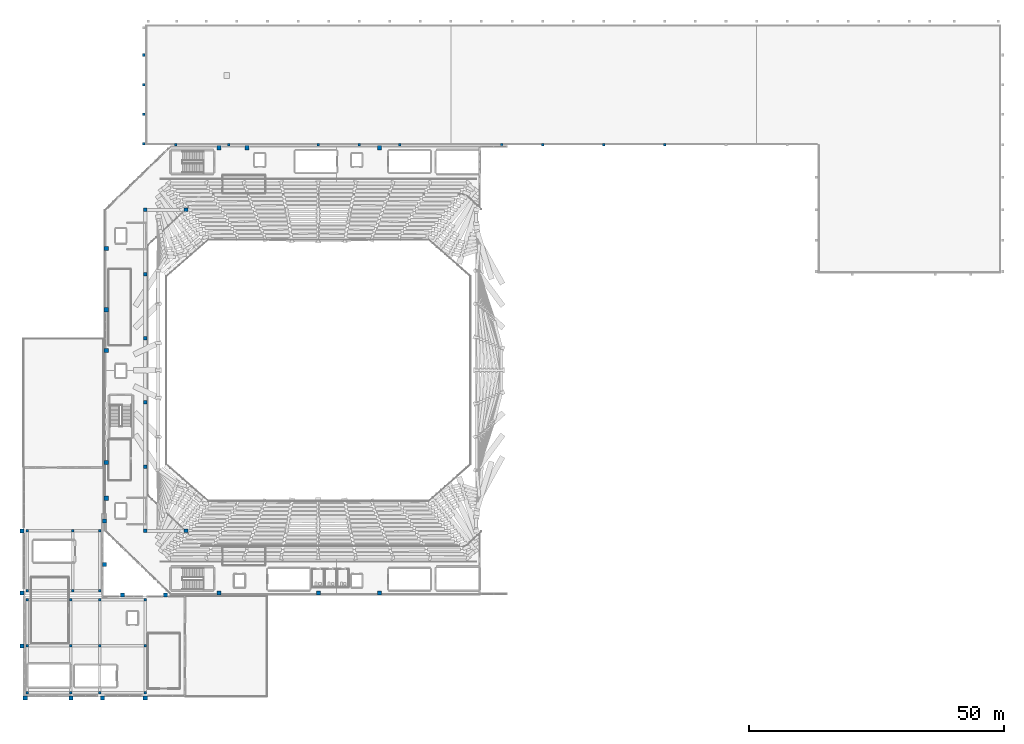
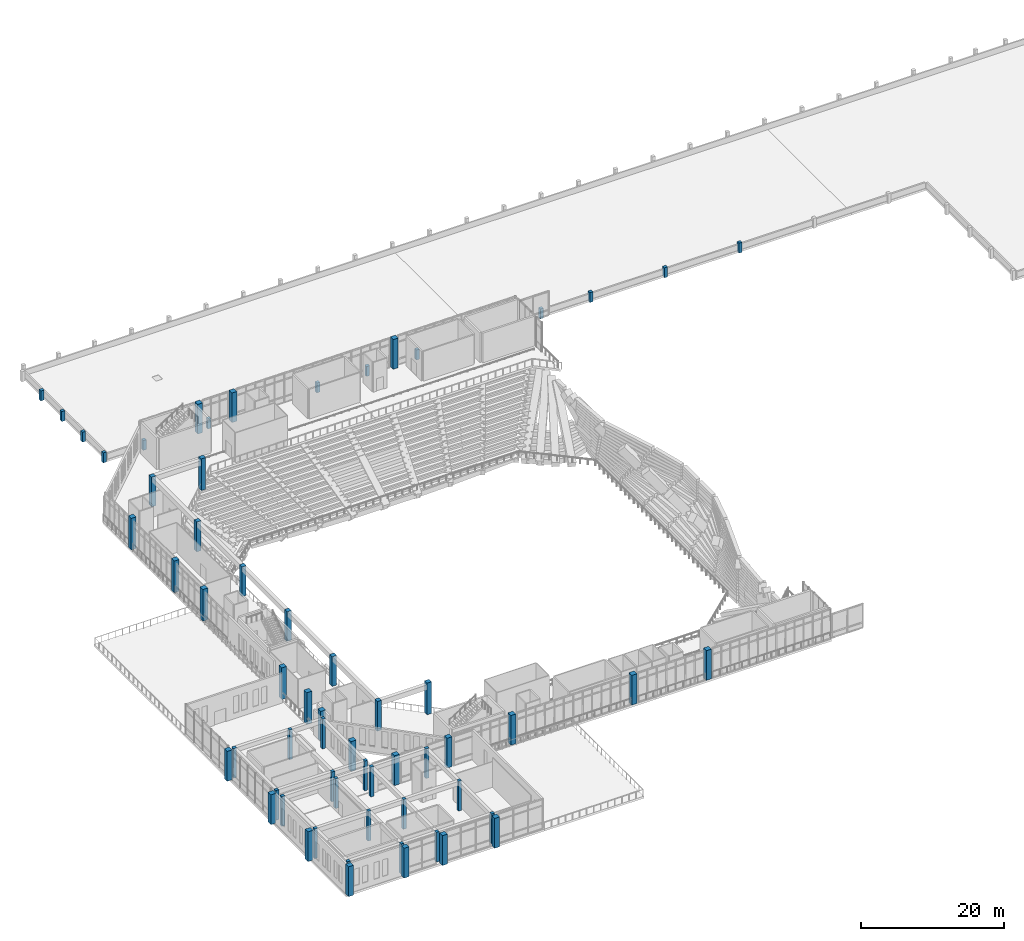
# One storey, part 1 of 55: 61 columns.
"""IFC4 building model written with IfcOpenShell, lengths in metres."""

from ifc_helpers import new_model, si_unit, derived_unit, direction, frame, origin, origin_2d, place, context, subcontext, project, spatial, rectangle, extrude, material, material_profile, profile_set, type_object, element, save


model = new_model("IFC4")

# Units and contexts
model_context = context("Model", 3, precision=1e-05, world=origin(), true_north=direction((0.0, 1.0)))
body_context = subcontext(model_context, "Body", "Model", "MODEL_VIEW")
ifc_project = project(units=[si_unit("LENGTHUNIT", "METRE"), si_unit("AREAUNIT", "SQUARE_METRE"), si_unit("VOLUMEUNIT", "CUBIC_METRE"), si_unit("PLANEANGLEUNIT", "RADIAN"), si_unit("MASSUNIT", "GRAM", prefix="KILO"), derived_unit("THERMALTRANSMITTANCEUNIT", [(si_unit("MASSUNIT", "GRAM", prefix="KILO"), 1), (si_unit("TIMEUNIT", "SECOND"), -3), (si_unit("THERMODYNAMICTEMPERATUREUNIT", "KELVIN"), -1)])], contexts=[model_context])

# Site, building, storey
site_placement = place(None, origin())
site = spatial("IfcSite", under=ifc_project, at=site_placement, CompositionType="ELEMENT")
building_placement = place(site_placement, origin())
building = spatial("IfcBuilding", under=site, at=building_placement, Name="Valcora Ridge Arena", CompositionType="ELEMENT")
storey_placement = place(building_placement, frame((0.0, 0.0, 21.0)))
storey = spatial("IfcBuildingStorey", under=building, at=storey_placement, Name="L04", CompositionType="ELEMENT", Elevation=21.0)

# Columns
ifc_material_1 = material(Name="Bush-hammered Andean travertine architectural concrete C45/55", Category="masonry")
ifc_material_profile_1 = material_profile(ifc_material_1, rectangle(XDim=0.800048828125, YDim=0.800048828125, at=origin_2d()), Name="RC 800x800")
ifc_profile_set_1 = profile_set([ifc_material_profile_1], Name="Bush-hammered Andean travertine architectural concrete C45/55")
column_type_1 = type_object("IfcColumnType", Name="TY-COLUMN-C-BUTT-800", PredefinedType="PILASTER", material=ifc_profile_set_1)
for number, where, z_axis, x_axis, name in (
    (1, (38.5, 20.39990234375, 0.0), (0.0, 0.0, 1.0), (1.0, 0.0, 0.0), "C-BUTT-800 COL-C-BUTT-800-0002"),
    (2, (58.0, 20.39990234375, 0.0), (0.0, 0.0, 1.0), (1.0, 0.0, 0.0), "C-BUTT-800 COL-C-BUTT-800-0004"),
    (3, (70.0, 20.39990234375, 0.0), (0.0, 0.0, 1.0), (1.0, 0.0, 0.0), "C-BUTT-800 COL-C-BUTT-800-0006"),
    (4, (38.5, 107.800048828125, 0.0), (0.0, 0.0, 1.0), (1.0, 0.0, 0.0), "C-BUTT-800 COL-C-BUTT-800-0009"),
    (5, (44.0, 107.800048828125, 0.0), (0.0, 0.0, 1.0), (1.0, 0.0, 0.0), "C-BUTT-800 COL-C-BUTT-800-0011"),
    (6, (70.0, 107.800048828125, 0.0), (0.0, 0.0, 1.0), (1.0, 0.0, 0.0), "C-BUTT-800 COL-C-BUTT-800-0013"),
):
    element("IfcColumn", number, at=place(storey_placement, frame(where, z_axis=z_axis, x_axis=x_axis)), inside=storey, type_object=column_type_1, Name=name, PredefinedType="PILASTER", context=body_context, shape_type="SweptSolid", body=[
        extrude(rectangle(XDim=0.800048828125, YDim=0.800048828125, at=origin_2d()), origin(), (0.0, 0.0, 1.0), 5.06005859375),
    ])
for number, where, z_axis, x_axis, name in (
    (7, (16.35009765625, 39.0, 0.0), (0.0, 0.0, 1.0), (1.0, 0.0, 0.0), "C-BUTT-800 COL-C-BUTT-800-0016"),
    (8, (16.35009765625, 46.0, 0.0), (0.0, 0.0, 1.0), (1.0, 0.0, 0.0), "C-BUTT-800 COL-C-BUTT-800-0019"),
    (9, (16.35009765625, 68.0, 0.0), (0.0, 0.0, 1.0), (1.0, 0.0, 0.0), "C-BUTT-800 COL-C-BUTT-800-0022"),
    (10, (16.35009765625, 76.0, 0.0), (0.0, 0.0, 1.0), (1.0, 0.0, 0.0), "C-BUTT-800 COL-C-BUTT-800-0025"),
    (11, (16.35009765625, 88.0, 0.0), (0.0, 0.0, 1.0), (1.0, 0.0, 0.0), "C-BUTT-800 COL-C-BUTT-800-0028"),
):
    element("IfcColumn", number, at=place(storey_placement, frame(where, z_axis=z_axis, x_axis=x_axis)), inside=storey, type_object=column_type_1, Name=name, PredefinedType="PILASTER", context=body_context, shape_type="SweptSolid", body=[
        extrude(rectangle(XDim=0.800048828125, YDim=0.800048828125, at=origin_2d()), origin(), (0.0, 0.0, 1.0), 5.39990234375),
    ])
for number, where, z_axis, x_axis, name in (
    (12, (0.449951171875, -0.179931640625, 0.0), (0.0, 0.0, 1.0), (1.0, 0.0, 0.0), "C-BUTT-800 COL-C-BUTT-800-0031"),
    (13, (9.39990234375, -0.179931640625, 0.0), (0.0, 0.0, 1.0), (1.0, 0.0, 0.0), "C-BUTT-800 COL-C-BUTT-800-0033"),
    (14, (15.60009765625, -0.179931640625, 0.0), (0.0, 0.0, 1.0), (1.0, 0.0, 0.0), "C-BUTT-800 COL-C-BUTT-800-0035"),
    (15, (24.0, -0.179931640625, 0.0), (0.0, 0.0, 1.0), (1.0, 0.0, 0.0), "C-BUTT-800 COL-C-BUTT-800-0037"),
    (16, (-0.179931640625, 10.0, 0.0), (0.0, 0.0, 1.0), (1.0, 0.0, 0.0), "C-BUTT-800 COL-C-BUTT-800-0041"),
    (17, (-0.179931640625, 20.39990234375, 0.0), (0.0, 0.0, 1.0), (1.0, 0.0, 0.0), "C-BUTT-800 COL-C-BUTT-800-0043"),
    (18, (-0.179931640625, 32.60009765625, 0.0), (0.0, 0.0, 1.0), (1.0, 0.0, 0.0), "C-BUTT-800 COL-C-BUTT-800-0045"),
    (19, (19.5, 20.0, 0.0), (0.0, 0.0, 1.0), (1.0, 0.0, 0.0), "C-BUTT-800 COL-C-BUTT-800-0049"),
    (20, (28.0, 20.0, 0.0), (0.0, 0.0, 1.0), (1.0, 0.0, 0.0), "C-BUTT-800 COL-C-BUTT-800-0051"),
    (21, (16.0, 26.0, 0.0), (0.0, 0.0, 1.0), (1.0, 0.0, 0.0), "C-BUTT-800 COL-C-BUTT-800-0054"),
    (22, (16.0, 34.5, 0.0), (0.0, 0.0, 1.0), (1.0, 0.0, 0.0), "C-BUTT-800 COL-C-BUTT-800-0056"),
):
    element("IfcColumn", number, at=place(storey_placement, frame(where, z_axis=z_axis, x_axis=x_axis)), inside=storey, type_object=column_type_1, Name=name, PredefinedType="PILASTER", context=body_context, shape_type="SweptSolid", body=[
        extrude(rectangle(XDim=0.800048828125, YDim=0.800048828125, at=origin_2d()), origin(), (0.0, 0.0, 1.0), 5.080078125),
    ])
ifc_material_profile_2 = material_profile(ifc_material_1, rectangle(XDim=0.5, YDim=0.5, at=origin_2d()), Name="RC 500x500")
ifc_profile_set_2 = profile_set([ifc_material_profile_2], Name="Bush-hammered Andean travertine architectural concrete C45/55")
column_type_2 = type_object("IfcColumnType", Name="TY-COLUMN-C-FINIAL-500", PredefinedType="PILASTER", material=ifc_profile_set_2)
for number, where, z_axis, x_axis, name in (
    (23, (23.679931640625, 108.60009765625, -0.340087890625), (0.0, 0.0, 1.0), (1.0, 0.0, 0.0), "C-FINIAL-500 COL-FN-C-FINIAL-500-0036"),
    (24, (23.679931640625, 114.39990234375, -0.340087890625), (0.0, 0.0, 1.0), (1.0, 0.0, 0.0), "C-FINIAL-500 COL-FN-C-FINIAL-500-0037"),
    (25, (23.679931640625, 120.199951171875, -0.340087890625), (0.0, 0.0, 1.0), (1.0, 0.0, 0.0), "C-FINIAL-500 COL-FN-C-FINIAL-500-0038"),
    (26, (23.679931640625, 126.0, -0.340087890625), (0.0, 0.0, 1.0), (1.0, 0.0, 0.0), "C-FINIAL-500 COL-FN-C-FINIAL-500-0039"),
    (27, (30.0, 108.419921875, -0.340087890625), (0.0, 0.0, 1.0), (1.0, 0.0, 0.0), "C-FINIAL-500 COL-FN-C-FINIAL-500-0061"),
    (28, (40.39990234375, 108.419921875, -0.340087890625), (0.0, 0.0, 1.0), (1.0, 0.0, 0.0), "C-FINIAL-500 COL-FN-C-FINIAL-500-0062"),
    (29, (58.0, 108.419921875, -0.340087890625), (0.0, 0.0, 1.0), (1.0, 0.0, 0.0), "C-FINIAL-500 COL-FN-C-FINIAL-500-0063"),
    (30, (66.0, 108.419921875, -0.340087890625), (0.0, 0.0, 1.0), (1.0, 0.0, 0.0), "C-FINIAL-500 COL-FN-C-FINIAL-500-0064"),
    (31, (74.0, 108.419921875, -0.340087890625), (0.0, 0.0, 1.0), (1.0, 0.0, 0.0), "C-FINIAL-500 COL-FN-C-FINIAL-500-0065"),
    (32, (94.0, 108.419921875, -0.340087890625), (0.0, 0.0, 1.0), (1.0, 0.0, 0.0), "C-FINIAL-500 COL-FN-C-FINIAL-500-0066"),
    (33, (102.0, 108.419921875, -0.340087890625), (0.0, 0.0, 1.0), (1.0, 0.0, 0.0), "C-FINIAL-500 COL-FN-C-FINIAL-500-0067"),
    (34, (114.0, 108.419921875, -0.340087890625), (0.0, 0.0, 1.0), (1.0, 0.0, 0.0), "C-FINIAL-500 COL-FN-C-FINIAL-500-0068"),
    (35, (126.0, 108.419921875, -0.340087890625), (0.0, 0.0, 1.0), (1.0, 0.0, 0.0), "C-FINIAL-500 COL-FN-C-FINIAL-500-0069"),
):
    element("IfcColumn", number, at=place(storey_placement, frame(where, z_axis=z_axis, x_axis=x_axis)), inside=storey, type_object=column_type_2, Name=name, PredefinedType="PILASTER", context=body_context, shape_type="SweptSolid", body=[
        extrude(rectangle(XDim=0.5, YDim=0.5, at=origin_2d()), origin(), (0.0, 0.0, 1.0), 1.690185546875),
    ])
ifc_material_2 = material(Name="Concrete C40/50", Category="concrete")
ifc_material_profile_3 = material_profile(ifc_material_2, rectangle(XDim=0.5, YDim=0.5, at=origin_2d()), Name="RC 500x500")
ifc_profile_set_3 = profile_set([ifc_material_profile_3], Name="Concrete C40/50")
column_type_3 = type_object("IfcColumnType", Name="TY-COLUMN-C-RC500", PredefinedType="COLUMN", material=ifc_profile_set_3)
for number, where, z_axis, x_axis, name in (
    (36, (0.800048828125, 0.800048828125, 0.0), (0.0, 0.0, 1.0), (1.0, 0.0, 0.0), "C-RC500 COL-C-RC500-0002"),
    (37, (0.800048828125, 10.0, 0.0), (0.0, 0.0, 1.0), (1.0, 0.0, 0.0), "C-RC500 COL-C-RC500-0004"),
    (38, (0.800048828125, 19.10009765625, 0.0), (0.0, 0.0, 1.0), (1.0, 0.0, 0.0), "C-RC500 COL-C-RC500-0006"),
    (39, (9.39990234375, 0.800048828125, 0.0), (0.0, 0.0, 1.0), (1.0, 0.0, 0.0), "C-RC500 COL-C-RC500-0008"),
    (40, (9.39990234375, 10.0, 0.0), (0.0, 0.0, 1.0), (1.0, 0.0, 0.0), "C-RC500 COL-C-RC500-0010"),
    (41, (9.39990234375, 19.10009765625, 0.0), (0.0, 0.0, 1.0), (1.0, 0.0, 0.0), "C-RC500 COL-C-RC500-0012"),
    (42, (15.10009765625, 0.800048828125, 0.0), (0.0, 0.0, 1.0), (1.0, 0.0, 0.0), "C-RC500 COL-C-RC500-0014"),
    (43, (15.10009765625, 10.0, 0.0), (0.0, 0.0, 1.0), (1.0, 0.0, 0.0), "C-RC500 COL-C-RC500-0016"),
    (44, (15.10009765625, 19.10009765625, 0.0), (0.0, 0.0, 1.0), (1.0, 0.0, 0.0), "C-RC500 COL-C-RC500-0018"),
    (45, (24.0, 0.800048828125, 0.0), (0.0, 0.0, 1.0), (1.0, 0.0, 0.0), "C-RC500 COL-C-RC500-0020"),
    (46, (24.0, 10.0, 0.0), (0.0, 0.0, 1.0), (1.0, 0.0, 0.0), "C-RC500 COL-C-RC500-0022"),
    (47, (24.0, 19.10009765625, 0.0), (0.0, 0.0, 1.0), (1.0, 0.0, 0.0), "C-RC500 COL-C-RC500-0024"),
    (48, (0.800048828125, 20.800048828125, 0.0), (0.0, 0.0, 1.0), (1.0, 0.0, 0.0), "C-RC500 COL-C-RC500-0032"),
    (49, (0.800048828125, 32.60009765625, 0.0), (0.0, 0.0, 1.0), (1.0, 0.0, 0.0), "C-RC500 COL-C-RC500-0034"),
    (50, (9.800048828125, 20.800048828125, 0.0), (0.0, 0.0, 1.0), (1.0, 0.0, 0.0), "C-RC500 COL-C-RC500-0038"),
    (51, (9.800048828125, 32.60009765625, 0.0), (0.0, 0.0, 1.0), (1.0, 0.0, 0.0), "C-RC500 COL-C-RC500-0040"),
    (52, (15.10009765625, 20.800048828125, 0.0), (0.0, 0.0, 1.0), (1.0, 0.0, 0.0), "C-RC500 COL-C-RC500-0044"),
    (53, (15.10009765625, 32.60009765625, 0.0), (0.0, 0.0, 1.0), (1.0, 0.0, 0.0), "C-RC500 COL-C-RC500-0046"),
):
    element("IfcColumn", number, at=place(storey_placement, frame(where, z_axis=z_axis, x_axis=x_axis)), inside=storey, type_object=column_type_3, Name=name, PredefinedType="COLUMN", context=body_context, shape_type="SweptSolid", body=[
        extrude(rectangle(XDim=0.5, YDim=0.5, at=origin_2d()), origin(), (0.0, 0.0, 1.0), 5.080078125),
    ])
ifc_material_profile_4 = material_profile(ifc_material_2, rectangle(XDim=0.699951171875, YDim=0.699951171875, at=origin_2d()), Name="RC 700x700")
ifc_profile_set_4 = profile_set([ifc_material_profile_4], Name="Concrete C40/50")
column_type_4 = type_object("IfcColumnType", Name="TY-COLUMN-C-RC700", PredefinedType="COLUMN", material=ifc_profile_set_4)
for number, where, z_axis, x_axis, name in (
    (54, (24.0, 32.60009765625, 0.0), (0.0, 0.0, 1.0), (1.0, 0.0, 0.0), "C-RC700 COL-C-RC700-0002"),
    (55, (24.0, 45.199951171875, 0.0), (0.0, 0.0, 1.0), (1.0, 0.0, 0.0), "C-RC700 COL-C-RC700-0004"),
    (56, (24.0, 57.800048828125, 0.0), (0.0, 0.0, 1.0), (1.0, 0.0, 0.0), "C-RC700 COL-C-RC700-0006"),
    (57, (24.0, 70.39990234375, 0.0), (0.0, 0.0, 1.0), (1.0, 0.0, 0.0), "C-RC700 COL-C-RC700-0008"),
    (58, (24.0, 83.0, 0.0), (0.0, 0.0, 1.0), (1.0, 0.0, 0.0), "C-RC700 COL-C-RC700-0010"),
    (59, (24.0, 95.60009765625, 0.0), (0.0, 0.0, 1.0), (1.0, 0.0, 0.0), "C-RC700 COL-C-RC700-0012"),
):
    element("IfcColumn", number, at=place(storey_placement, frame(where, z_axis=z_axis, x_axis=x_axis)), inside=storey, type_object=column_type_4, Name=name, PredefinedType="COLUMN", context=body_context, shape_type="SweptSolid", body=[
        extrude(rectangle(XDim=0.699951171875, YDim=0.699951171875, at=origin_2d()), origin(), (0.0, 0.0, 1.0), 5.06005859375),
    ])
for number, where, z_axis, x_axis, name in (
    (60, (32.0, 32.60009765625, 0.0), (0.0, 0.0, 1.0), (1.0, 0.0, 0.0), "C-RC700 COL-C-RC700-0014"),
    (61, (32.0, 95.60009765625, 0.0), (0.0, 0.0, 1.0), (1.0, 0.0, 0.0), "C-RC700 COL-C-RC700-0017"),
):
    element("IfcColumn", number, at=place(storey_placement, frame(where, z_axis=z_axis, x_axis=x_axis)), inside=storey, type_object=column_type_4, Name=name, PredefinedType="COLUMN", context=body_context, shape_type="SweptSolid", body=[
        extrude(rectangle(XDim=0.699951171875, YDim=0.699951171875, at=origin_2d()), origin(), (0.0, 0.0, 1.0), 5.39990234375),
    ])

save(model, "model.ifc")
